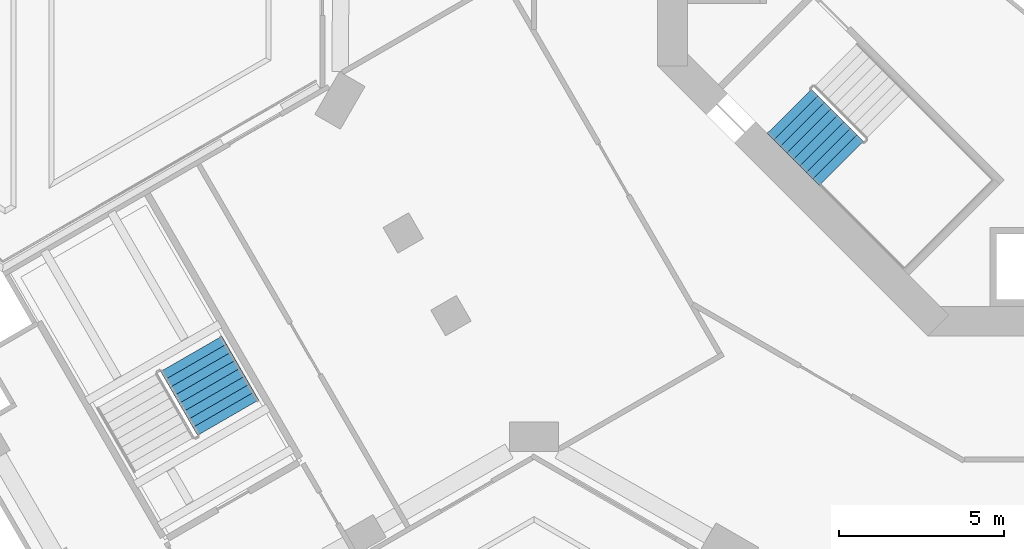
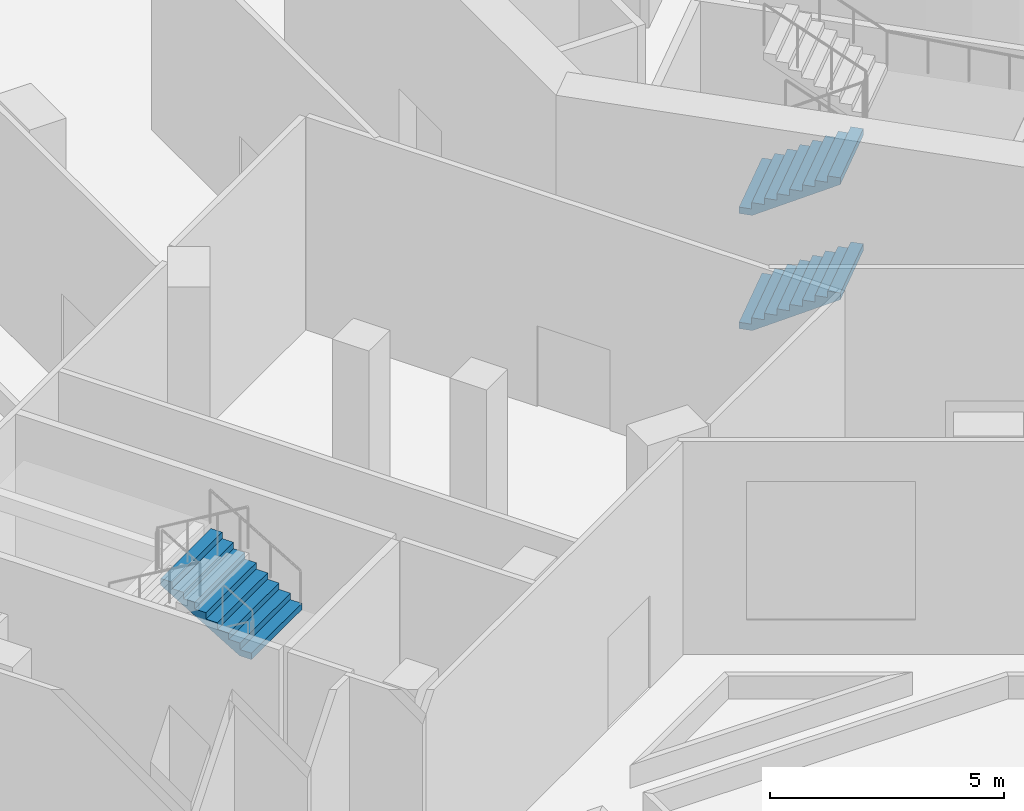
# One storey, part 14 of 29: 3 stair flights, 2 elements without a shape of their own.
"""IFC4 building model written with IfcOpenShell, lengths in metres."""

from ifc_helpers import new_model, si_unit, direction, frame, origin, place, context, subcontext, project, spatial, triangles, material, type_object, element, aggregate, save


model = new_model("IFC4")

# Units and contexts
model_context = context("Model", 3, precision=1e-05, world=origin(), true_north=direction((0.0, 1.0)))
body_context = subcontext(model_context, "Body", "Model", "MODEL_VIEW")
ifc_project = project(units=[si_unit("LENGTHUNIT", "METRE"), si_unit("AREAUNIT", "SQUARE_METRE"), si_unit("VOLUMEUNIT", "CUBIC_METRE"), si_unit("PLANEANGLEUNIT", "RADIAN"), si_unit("MASSUNIT", "GRAM", prefix="KILO")], contexts=[model_context])

# Site, building, storey
site_placement = place(None, origin())
site = spatial("IfcSite", under=ifc_project, at=site_placement, CompositionType="ELEMENT")
building_placement = place(site_placement, origin())
building = spatial("IfcBuilding", under=site, at=building_placement, Name="Verdalira Terraces Hotel", CompositionType="ELEMENT")
storey_placement = place(building_placement, frame((0.0, 0.0, 8.0)))
storey = spatial("IfcBuildingStorey", under=building, at=storey_placement, Name="L01", CompositionType="ELEMENT", Elevation=8.0)

# Stair, stair flights
ifc_material_1 = material(Name="Concrete C40", Category="concrete")
stair_type_1 = type_object("IfcStairType", Name="Core stair 36 risers 1900 mm wide", PredefinedType="HALF_TURN_STAIR", material=ifc_material_1)
stair_1_placement = place(storey_placement, origin())
stair_1 = element("IfcStair", 1, at=stair_1_placement, inside=storey, type_object=stair_type_1, Name="L01 Exit stair ST2", PredefinedType="HALF_TURN_STAIR")
ifc_material_2 = material(Name="Concrete C40", Category="concrete")
stair_flight_type_1 = type_object("IfcStairFlightType", Name="Core stair flight 36 risers 1900 mm wide", PredefinedType="STRAIGHT", material=ifc_material_2)
stair_flight_1_placement = place(storey_placement, frame((-10.005615, -7.177246, 0.0), z_axis=(0.0, 0.0, 1.0), x_axis=(0.707106781, -0.707106781, 0.0)))
stair_flight_1 = element("IfcStairFlight", 2, at=stair_flight_1_placement, type_object=stair_flight_type_1, Name="ST2 flight 1", NumberOfRisers=9, NumberOfTreads=8, PredefinedType="STRAIGHT", RiserHeight=0.166666667, TreadLength=0.28, context=body_context, shape_type="Tessellation", body=[
    triangles([(0.0, 0.949951, 0.0), (0.292969, 0.949951, 0.0), (2.23999, 0.949951, 1.158936), (0.0, -0.949951, 0.0), (0.292969, -0.949951, 0.0), (2.23999, -0.949951, 1.158936), (2.23999, 0.949951, 1.333252), (1.959961, 0.949951, 1.333252), (2.23999, -0.949951, 1.333252), (1.959961, -0.949951, 1.333252), (1.959961, 0.949951, 1.166748), (1.959961, -0.949951, 1.166748), (1.679932, 0.949951, 1.166748), (1.679932, -0.949951, 1.166748), (1.679932, 0.949951, 1.0), (1.679932, -0.949951, 1.0), (1.399902, 0.949951, 1.0), (1.399902, 0.949951, 0.833252), (1.399902, -0.949951, 1.0), (1.399902, -0.949951, 0.833252), (1.120117, 0.949951, 0.833252), (1.120117, 0.949951, 0.666748), (1.120117, -0.949951, 0.833252), (1.120117, -0.949951, 0.666748), (0.840088, 0.949951, 0.666748), (0.840088, 0.949951, 0.5), (0.840088, -0.949951, 0.666748), (0.840088, -0.949951, 0.5), (0.560059, 0.949951, 0.5), (0.560059, 0.949951, 0.333252), (0.560059, -0.949951, 0.5), (0.560059, -0.949951, 0.333252), (0.280029, 0.949951, 0.333252), (0.280029, 0.949951, 0.166748), (0.280029, -0.949951, 0.333252), (0.280029, -0.949951, 0.166748), (0.0, 0.949951, 0.166748), (0.0, -0.949951, 0.166748), (0.0, -0.890579, 0.0), (0.0, -0.890579, 0.166748), (0.0, -0.831207, 0.0), (0.0, -0.831207, 0.166748), (0.0, -0.771835, 0.0), (0.0, -0.771835, 0.166748), (0.0, -0.712463, 0.0), (0.0, -0.712463, 0.166748), (0.0, -0.653091, 0.0), (0.0, -0.653091, 0.166748), (0.0, -0.593719, 0.0), (0.0, -0.593719, 0.166748), (0.0, -0.534348, 0.0), (0.0, -0.534348, 0.166748), (0.0, -0.474976, 0.0), (0.0, -0.474976, 0.166748), (0.0, -0.415604, 0.0), (0.0, -0.415604, 0.166748), (0.0, -0.356232, 0.0), (0.0, -0.356232, 0.166748), (0.0, -0.29686, 0.0), (0.0, -0.29686, 0.166748), (0.0, -0.237488, 0.0), (0.0, -0.237488, 0.166748), (0.0, -0.178116, 0.0), (0.0, -0.178116, 0.166748), (0.0, -0.118744, 0.0), (0.0, -0.118744, 0.166748), (0.0, -0.059372, 0.0), (0.0, -0.059372, 0.166748), (0.0, 0.0, 0.0), (0.0, 0.0, 0.166748), (0.0, 0.059372, 0.0), (0.0, 0.059372, 0.166748), (0.0, 0.118744, 0.0), (0.0, 0.118744, 0.166748), (0.0, 0.178116, 0.0), (0.0, 0.178116, 0.166748), (0.0, 0.237488, 0.0), (0.0, 0.237488, 0.166748), (0.0, 0.29686, 0.0), (0.0, 0.29686, 0.166748), (0.0, 0.356232, 0.0), (0.0, 0.356232, 0.166748), (0.0, 0.415604, 0.0), (0.0, 0.415604, 0.166748), (0.0, 0.474976, 0.0), (0.0, 0.474976, 0.166748), (0.0, 0.534348, 0.0), (0.0, 0.534348, 0.166748), (0.0, 0.593719, 0.0), (0.0, 0.593719, 0.166748), (0.0, 0.653091, 0.0), (0.0, 0.653091, 0.166748), (0.0, 0.712463, 0.0), (0.0, 0.712463, 0.166748), (0.0, 0.771835, 0.0), (0.0, 0.771835, 0.166748), (0.0, 0.831207, 0.0), (0.0, 0.831207, 0.166748), (0.0, 0.890579, 0.0), (0.0, 0.890579, 0.166748), (2.23999, -0.890579, 1.333252), (2.23999, -0.831207, 1.333252), (2.23999, -0.771835, 1.333252), (2.23999, -0.712463, 1.333252), (2.23999, -0.653091, 1.333252), (2.23999, -0.593719, 1.333252), (2.23999, -0.534348, 1.333252), (2.23999, -0.474976, 1.333252), (2.23999, -0.415604, 1.333252), (2.23999, -0.356232, 1.333252), (2.23999, -0.29686, 1.333252), (2.23999, -0.237488, 1.333252), (2.23999, -0.178116, 1.333252), (2.23999, -0.118744, 1.333252), (2.23999, -0.059372, 1.333252), (2.23999, 0.0, 1.333252), (2.23999, 0.059372, 1.333252), (2.23999, 0.118744, 1.333252), (2.23999, 0.178116, 1.333252), (2.23999, 0.237488, 1.333252), (2.23999, 0.29686, 1.333252), (2.23999, 0.356232, 1.333252), (2.23999, 0.415604, 1.333252), (2.23999, 0.474976, 1.333252), (2.23999, 0.534348, 1.333252), (2.23999, 0.593719, 1.333252), (2.23999, 0.653091, 1.333252), (2.23999, 0.712463, 1.333252), (2.23999, 0.771835, 1.333252), (2.23999, 0.831207, 1.333252), (2.23999, 0.890579, 1.333252), (2.23999, -0.890579, 1.158936), (2.23999, -0.831207, 1.158936), (2.23999, -0.771835, 1.158936), (2.23999, -0.712463, 1.158936), (2.23999, -0.653091, 1.158936), (2.23999, -0.593719, 1.158936), (2.23999, -0.534348, 1.158936), (2.23999, -0.474976, 1.158936), (2.23999, -0.415604, 1.158936), (2.23999, -0.356232, 1.158936), (2.23999, -0.29686, 1.158936), (2.23999, -0.237488, 1.158936), (2.23999, -0.178116, 1.158936), (2.23999, -0.118744, 1.158936), (2.23999, -0.059372, 1.158936), (2.23999, 0.0, 1.158936), (2.23999, 0.059372, 1.158936), (2.23999, 0.118744, 1.158936), (2.23999, 0.178116, 1.158936), (2.23999, 0.237488, 1.158936), (2.23999, 0.29686, 1.158936), (2.23999, 0.356232, 1.158936), (2.23999, 0.415604, 1.158936), (2.23999, 0.474976, 1.158936), (2.23999, 0.534348, 1.158936), (2.23999, 0.593719, 1.158936), (2.23999, 0.653091, 1.158936), (2.23999, 0.712463, 1.158936), (2.23999, 0.771835, 1.158936), (2.23999, 0.831207, 1.158936), (2.23999, 0.890579, 1.158936)], [[1, 3, 2], [4, 5, 6], [3, 8, 7], [6, 9, 10], [3, 11, 8], [6, 10, 12], [3, 13, 11], [6, 12, 14], [3, 15, 13], [6, 14, 16], [15, 18, 17], [16, 19, 20], [3, 18, 15], [6, 16, 20], [18, 22, 21], [20, 23, 24], [3, 22, 18], [6, 20, 24], [22, 26, 25], [24, 27, 28], [3, 26, 22], [6, 24, 28], [26, 30, 29], [28, 31, 32], [3, 30, 26], [6, 28, 32], [1, 30, 3], [4, 6, 32], [30, 34, 33], [32, 35, 36], [1, 34, 30], [4, 32, 36], [34, 1, 37], [36, 38, 4], [4, 40, 39], [4, 38, 40], [39, 42, 41], [39, 40, 42], [41, 44, 43], [41, 42, 44], [43, 46, 45], [43, 44, 46], [45, 48, 47], [45, 46, 48], [47, 50, 49], [47, 48, 50], [49, 52, 51], [49, 50, 52], [51, 54, 53], [51, 52, 54], [53, 56, 55], [53, 54, 56], [55, 58, 57], [55, 56, 58], [57, 60, 59], [57, 58, 60], [59, 62, 61], [59, 60, 62], [61, 64, 63], [61, 62, 64], [63, 66, 65], [63, 64, 66], [65, 68, 67], [65, 66, 68], [67, 70, 69], [67, 68, 70], [69, 72, 71], [69, 70, 72], [71, 74, 73], [71, 72, 74], [73, 76, 75], [73, 74, 76], [75, 78, 77], [75, 76, 78], [77, 80, 79], [77, 78, 80], [79, 82, 81], [79, 80, 82], [81, 84, 83], [81, 82, 84], [83, 86, 85], [83, 84, 86], [85, 88, 87], [85, 86, 88], [87, 90, 89], [87, 88, 90], [89, 92, 91], [89, 90, 92], [91, 94, 93], [91, 92, 94], [93, 96, 95], [93, 94, 96], [95, 98, 97], [95, 96, 98], [97, 100, 99], [97, 98, 100], [99, 37, 1], [99, 100, 37], [38, 36, 40], [40, 36, 42], [42, 36, 44], [44, 36, 46], [46, 36, 48], [48, 36, 50], [50, 36, 52], [52, 36, 54], [54, 36, 56], [56, 36, 58], [58, 36, 60], [60, 36, 62], [62, 36, 64], [64, 36, 66], [66, 36, 68], [68, 36, 70], [70, 36, 72], [72, 36, 74], [74, 36, 76], [76, 36, 78], [78, 36, 80], [80, 36, 82], [82, 36, 84], [84, 36, 86], [86, 36, 88], [88, 36, 90], [90, 36, 92], [92, 36, 94], [94, 36, 96], [96, 36, 98], [98, 36, 100], [100, 36, 37], [37, 36, 34], [36, 33, 34], [36, 35, 33], [35, 30, 33], [35, 32, 30], [32, 29, 30], [32, 31, 29], [31, 26, 29], [31, 28, 26], [28, 25, 26], [28, 27, 25], [27, 22, 25], [27, 24, 22], [24, 21, 22], [24, 23, 21], [23, 18, 21], [23, 20, 18], [20, 17, 18], [20, 19, 17], [19, 15, 17], [19, 16, 15], [16, 13, 15], [16, 14, 13], [14, 11, 13], [14, 12, 11], [12, 8, 11], [12, 10, 8], [9, 101, 10], [101, 102, 10], [102, 103, 10], [103, 104, 10], [104, 105, 10], [105, 106, 10], [106, 107, 10], [107, 108, 10], [108, 109, 10], [109, 110, 10], [110, 111, 10], [111, 112, 10], [112, 113, 10], [113, 114, 10], [114, 115, 10], [115, 116, 10], [116, 117, 10], [117, 118, 10], [118, 119, 10], [119, 120, 10], [120, 121, 10], [121, 122, 10], [122, 123, 10], [123, 124, 10], [124, 125, 10], [125, 126, 10], [126, 127, 10], [127, 128, 10], [128, 129, 10], [129, 130, 10], [130, 131, 10], [131, 7, 10], [7, 8, 10], [9, 132, 101], [9, 6, 132], [101, 133, 102], [101, 132, 133], [102, 134, 103], [102, 133, 134], [103, 135, 104], [103, 134, 135], [104, 136, 105], [104, 135, 136], [105, 137, 106], [105, 136, 137], [106, 138, 107], [106, 137, 138], [107, 139, 108], [107, 138, 139], [108, 140, 109], [108, 139, 140], [109, 141, 110], [109, 140, 141], [110, 142, 111], [110, 141, 142], [111, 143, 112], [111, 142, 143], [112, 144, 113], [112, 143, 144], [113, 145, 114], [113, 144, 145], [114, 146, 115], [114, 145, 146], [115, 147, 116], [115, 146, 147], [116, 148, 117], [116, 147, 148], [117, 149, 118], [117, 148, 149], [118, 150, 119], [118, 149, 150], [119, 151, 120], [119, 150, 151], [120, 152, 121], [120, 151, 152], [121, 153, 122], [121, 152, 153], [122, 154, 123], [122, 153, 154], [123, 155, 124], [123, 154, 155], [124, 156, 125], [124, 155, 156], [125, 157, 126], [125, 156, 157], [126, 158, 127], [126, 157, 158], [127, 159, 128], [127, 158, 159], [128, 160, 129], [128, 159, 160], [129, 161, 130], [129, 160, 161], [130, 162, 131], [130, 161, 162], [131, 3, 7], [131, 162, 3], [6, 5, 132], [132, 5, 133], [133, 5, 134], [134, 5, 135], [135, 5, 136], [136, 5, 137], [137, 5, 138], [138, 5, 139], [139, 5, 140], [140, 5, 141], [141, 5, 142], [142, 5, 143], [143, 5, 144], [144, 5, 145], [145, 5, 146], [146, 5, 147], [147, 5, 148], [148, 5, 149], [149, 5, 150], [150, 5, 151], [151, 5, 152], [152, 5, 153], [153, 5, 154], [154, 5, 155], [155, 5, 156], [156, 5, 157], [157, 5, 158], [158, 5, 159], [159, 5, 160], [160, 5, 161], [161, 5, 162], [162, 5, 3], [3, 5, 2], [4, 39, 5], [39, 41, 5], [41, 43, 5], [43, 45, 5], [45, 47, 5], [47, 49, 5], [49, 51, 5], [51, 53, 5], [53, 55, 5], [55, 57, 5], [57, 59, 5], [59, 61, 5], [61, 63, 5], [63, 65, 5], [65, 67, 5], [67, 69, 5], [69, 71, 5], [71, 73, 5], [73, 75, 5], [75, 77, 5], [77, 79, 5], [79, 81, 5], [81, 83, 5], [83, 85, 5], [85, 87, 5], [87, 89, 5], [89, 91, 5], [91, 93, 5], [93, 95, 5], [95, 97, 5], [97, 99, 5], [99, 1, 5], [1, 2, 5]], closed=True),
])
stair_flight_2_placement = place(storey_placement, frame((-10.005615, -7.177246, 3.0), z_axis=(0.0, 0.0, 1.0), x_axis=(0.707106781, -0.707106781, 0.0)))
stair_flight_2 = element("IfcStairFlight", 3, at=stair_flight_2_placement, type_object=stair_flight_type_1, Name="ST2 flight 3", NumberOfRisers=9, NumberOfTreads=8, PredefinedType="STRAIGHT", RiserHeight=0.166666667, TreadLength=0.28, context=body_context, shape_type="Tessellation", body=[
    triangles([(0.0, 0.949951, 0.0), (0.292969, 0.949951, 0.0), (2.23999, 0.949951, 1.158936), (0.0, -0.949951, 0.0), (0.292969, -0.949951, 0.0), (2.23999, -0.949951, 1.158936), (2.23999, 0.949951, 1.333252), (1.959961, 0.949951, 1.333252), (2.23999, -0.949951, 1.333252), (1.959961, -0.949951, 1.333252), (1.959961, 0.949951, 1.166748), (1.959961, -0.949951, 1.166748), (1.679932, 0.949951, 1.166748), (1.679932, -0.949951, 1.166748), (1.679932, 0.949951, 1.0), (1.679932, -0.949951, 1.0), (1.399902, 0.949951, 1.0), (1.399902, 0.949951, 0.833252), (1.399902, -0.949951, 1.0), (1.399902, -0.949951, 0.833252), (1.120117, 0.949951, 0.833252), (1.120117, 0.949951, 0.666748), (1.120117, -0.949951, 0.833252), (1.120117, -0.949951, 0.666748), (0.840088, 0.949951, 0.666748), (0.840088, 0.949951, 0.5), (0.840088, -0.949951, 0.666748), (0.840088, -0.949951, 0.5), (0.560059, 0.949951, 0.5), (0.560059, 0.949951, 0.333252), (0.560059, -0.949951, 0.5), (0.560059, -0.949951, 0.333252), (0.280029, 0.949951, 0.333252), (0.280029, 0.949951, 0.166748), (0.280029, -0.949951, 0.333252), (0.280029, -0.949951, 0.166748), (0.0, 0.949951, 0.166748), (0.0, -0.949951, 0.166748), (0.0, -0.890579, 0.0), (0.0, -0.890579, 0.166748), (0.0, -0.831207, 0.0), (0.0, -0.831207, 0.166748), (0.0, -0.771835, 0.0), (0.0, -0.771835, 0.166748), (0.0, -0.712463, 0.0), (0.0, -0.712463, 0.166748), (0.0, -0.653091, 0.0), (0.0, -0.653091, 0.166748), (0.0, -0.593719, 0.0), (0.0, -0.593719, 0.166748), (0.0, -0.534348, 0.0), (0.0, -0.534348, 0.166748), (0.0, -0.474976, 0.0), (0.0, -0.474976, 0.166748), (0.0, -0.415604, 0.0), (0.0, -0.415604, 0.166748), (0.0, -0.356232, 0.0), (0.0, -0.356232, 0.166748), (0.0, -0.29686, 0.0), (0.0, -0.29686, 0.166748), (0.0, -0.237488, 0.0), (0.0, -0.237488, 0.166748), (0.0, -0.178116, 0.0), (0.0, -0.178116, 0.166748), (0.0, -0.118744, 0.0), (0.0, -0.118744, 0.166748), (0.0, -0.059372, 0.0), (0.0, -0.059372, 0.166748), (0.0, 0.0, 0.0), (0.0, 0.0, 0.166748), (0.0, 0.059372, 0.0), (0.0, 0.059372, 0.166748), (0.0, 0.118744, 0.0), (0.0, 0.118744, 0.166748), (0.0, 0.178116, 0.0), (0.0, 0.178116, 0.166748), (0.0, 0.237488, 0.0), (0.0, 0.237488, 0.166748), (0.0, 0.29686, 0.0), (0.0, 0.29686, 0.166748), (0.0, 0.356232, 0.0), (0.0, 0.356232, 0.166748), (0.0, 0.415604, 0.0), (0.0, 0.415604, 0.166748), (0.0, 0.474976, 0.0), (0.0, 0.474976, 0.166748), (0.0, 0.534348, 0.0), (0.0, 0.534348, 0.166748), (0.0, 0.593719, 0.0), (0.0, 0.593719, 0.166748), (0.0, 0.653091, 0.0), (0.0, 0.653091, 0.166748), (0.0, 0.712463, 0.0), (0.0, 0.712463, 0.166748), (0.0, 0.771835, 0.0), (0.0, 0.771835, 0.166748), (0.0, 0.831207, 0.0), (0.0, 0.831207, 0.166748), (0.0, 0.890579, 0.0), (0.0, 0.890579, 0.166748), (2.23999, -0.890579, 1.333252), (2.23999, -0.831207, 1.333252), (2.23999, -0.771835, 1.333252), (2.23999, -0.712463, 1.333252), (2.23999, -0.653091, 1.333252), (2.23999, -0.593719, 1.333252), (2.23999, -0.534348, 1.333252), (2.23999, -0.474976, 1.333252), (2.23999, -0.415604, 1.333252), (2.23999, -0.356232, 1.333252), (2.23999, -0.29686, 1.333252), (2.23999, -0.237488, 1.333252), (2.23999, -0.178116, 1.333252), (2.23999, -0.118744, 1.333252), (2.23999, -0.059372, 1.333252), (2.23999, 0.0, 1.333252), (2.23999, 0.059372, 1.333252), (2.23999, 0.118744, 1.333252), (2.23999, 0.178116, 1.333252), (2.23999, 0.237488, 1.333252), (2.23999, 0.29686, 1.333252), (2.23999, 0.356232, 1.333252), (2.23999, 0.415604, 1.333252), (2.23999, 0.474976, 1.333252), (2.23999, 0.534348, 1.333252), (2.23999, 0.593719, 1.333252), (2.23999, 0.653091, 1.333252), (2.23999, 0.712463, 1.333252), (2.23999, 0.771835, 1.333252), (2.23999, 0.831207, 1.333252), (2.23999, 0.890579, 1.333252), (2.23999, -0.890579, 1.158936), (2.23999, -0.831207, 1.158936), (2.23999, -0.771835, 1.158936), (2.23999, -0.712463, 1.158936), (2.23999, -0.653091, 1.158936), (2.23999, -0.593719, 1.158936), (2.23999, -0.534348, 1.158936), (2.23999, -0.474976, 1.158936), (2.23999, -0.415604, 1.158936), (2.23999, -0.356232, 1.158936), (2.23999, -0.29686, 1.158936), (2.23999, -0.237488, 1.158936), (2.23999, -0.178116, 1.158936), (2.23999, -0.118744, 1.158936), (2.23999, -0.059372, 1.158936), (2.23999, 0.0, 1.158936), (2.23999, 0.059372, 1.158936), (2.23999, 0.118744, 1.158936), (2.23999, 0.178116, 1.158936), (2.23999, 0.237488, 1.158936), (2.23999, 0.29686, 1.158936), (2.23999, 0.356232, 1.158936), (2.23999, 0.415604, 1.158936), (2.23999, 0.474976, 1.158936), (2.23999, 0.534348, 1.158936), (2.23999, 0.593719, 1.158936), (2.23999, 0.653091, 1.158936), (2.23999, 0.712463, 1.158936), (2.23999, 0.771835, 1.158936), (2.23999, 0.831207, 1.158936), (2.23999, 0.890579, 1.158936)], [[1, 3, 2], [4, 5, 6], [3, 8, 7], [6, 9, 10], [3, 11, 8], [6, 10, 12], [3, 13, 11], [6, 12, 14], [3, 15, 13], [6, 14, 16], [15, 18, 17], [16, 19, 20], [3, 18, 15], [6, 16, 20], [18, 22, 21], [20, 23, 24], [3, 22, 18], [6, 20, 24], [22, 26, 25], [24, 27, 28], [3, 26, 22], [6, 24, 28], [26, 30, 29], [28, 31, 32], [3, 30, 26], [6, 28, 32], [1, 30, 3], [4, 6, 32], [30, 34, 33], [32, 35, 36], [1, 34, 30], [4, 32, 36], [34, 1, 37], [36, 38, 4], [4, 40, 39], [4, 38, 40], [39, 42, 41], [39, 40, 42], [41, 44, 43], [41, 42, 44], [43, 46, 45], [43, 44, 46], [45, 48, 47], [45, 46, 48], [47, 50, 49], [47, 48, 50], [49, 52, 51], [49, 50, 52], [51, 54, 53], [51, 52, 54], [53, 56, 55], [53, 54, 56], [55, 58, 57], [55, 56, 58], [57, 60, 59], [57, 58, 60], [59, 62, 61], [59, 60, 62], [61, 64, 63], [61, 62, 64], [63, 66, 65], [63, 64, 66], [65, 68, 67], [65, 66, 68], [67, 70, 69], [67, 68, 70], [69, 72, 71], [69, 70, 72], [71, 74, 73], [71, 72, 74], [73, 76, 75], [73, 74, 76], [75, 78, 77], [75, 76, 78], [77, 80, 79], [77, 78, 80], [79, 82, 81], [79, 80, 82], [81, 84, 83], [81, 82, 84], [83, 86, 85], [83, 84, 86], [85, 88, 87], [85, 86, 88], [87, 90, 89], [87, 88, 90], [89, 92, 91], [89, 90, 92], [91, 94, 93], [91, 92, 94], [93, 96, 95], [93, 94, 96], [95, 98, 97], [95, 96, 98], [97, 100, 99], [97, 98, 100], [99, 37, 1], [99, 100, 37], [38, 36, 40], [40, 36, 42], [42, 36, 44], [44, 36, 46], [46, 36, 48], [48, 36, 50], [50, 36, 52], [52, 36, 54], [54, 36, 56], [56, 36, 58], [58, 36, 60], [60, 36, 62], [62, 36, 64], [64, 36, 66], [66, 36, 68], [68, 36, 70], [70, 36, 72], [72, 36, 74], [74, 36, 76], [76, 36, 78], [78, 36, 80], [80, 36, 82], [82, 36, 84], [84, 36, 86], [86, 36, 88], [88, 36, 90], [90, 36, 92], [92, 36, 94], [94, 36, 96], [96, 36, 98], [98, 36, 100], [100, 36, 37], [37, 36, 34], [36, 33, 34], [36, 35, 33], [35, 30, 33], [35, 32, 30], [32, 29, 30], [32, 31, 29], [31, 26, 29], [31, 28, 26], [28, 25, 26], [28, 27, 25], [27, 22, 25], [27, 24, 22], [24, 21, 22], [24, 23, 21], [23, 18, 21], [23, 20, 18], [20, 17, 18], [20, 19, 17], [19, 15, 17], [19, 16, 15], [16, 13, 15], [16, 14, 13], [14, 11, 13], [14, 12, 11], [12, 8, 11], [12, 10, 8], [9, 101, 10], [101, 102, 10], [102, 103, 10], [103, 104, 10], [104, 105, 10], [105, 106, 10], [106, 107, 10], [107, 108, 10], [108, 109, 10], [109, 110, 10], [110, 111, 10], [111, 112, 10], [112, 113, 10], [113, 114, 10], [114, 115, 10], [115, 116, 10], [116, 117, 10], [117, 118, 10], [118, 119, 10], [119, 120, 10], [120, 121, 10], [121, 122, 10], [122, 123, 10], [123, 124, 10], [124, 125, 10], [125, 126, 10], [126, 127, 10], [127, 128, 10], [128, 129, 10], [129, 130, 10], [130, 131, 10], [131, 7, 10], [7, 8, 10], [9, 132, 101], [9, 6, 132], [101, 133, 102], [101, 132, 133], [102, 134, 103], [102, 133, 134], [103, 135, 104], [103, 134, 135], [104, 136, 105], [104, 135, 136], [105, 137, 106], [105, 136, 137], [106, 138, 107], [106, 137, 138], [107, 139, 108], [107, 138, 139], [108, 140, 109], [108, 139, 140], [109, 141, 110], [109, 140, 141], [110, 142, 111], [110, 141, 142], [111, 143, 112], [111, 142, 143], [112, 144, 113], [112, 143, 144], [113, 145, 114], [113, 144, 145], [114, 146, 115], [114, 145, 146], [115, 147, 116], [115, 146, 147], [116, 148, 117], [116, 147, 148], [117, 149, 118], [117, 148, 149], [118, 150, 119], [118, 149, 150], [119, 151, 120], [119, 150, 151], [120, 152, 121], [120, 151, 152], [121, 153, 122], [121, 152, 153], [122, 154, 123], [122, 153, 154], [123, 155, 124], [123, 154, 155], [124, 156, 125], [124, 155, 156], [125, 157, 126], [125, 156, 157], [126, 158, 127], [126, 157, 158], [127, 159, 128], [127, 158, 159], [128, 160, 129], [128, 159, 160], [129, 161, 130], [129, 160, 161], [130, 162, 131], [130, 161, 162], [131, 3, 7], [131, 162, 3], [6, 5, 132], [132, 5, 133], [133, 5, 134], [134, 5, 135], [135, 5, 136], [136, 5, 137], [137, 5, 138], [138, 5, 139], [139, 5, 140], [140, 5, 141], [141, 5, 142], [142, 5, 143], [143, 5, 144], [144, 5, 145], [145, 5, 146], [146, 5, 147], [147, 5, 148], [148, 5, 149], [149, 5, 150], [150, 5, 151], [151, 5, 152], [152, 5, 153], [153, 5, 154], [154, 5, 155], [155, 5, 156], [156, 5, 157], [157, 5, 158], [158, 5, 159], [159, 5, 160], [160, 5, 161], [161, 5, 162], [162, 5, 3], [3, 5, 2], [4, 39, 5], [39, 41, 5], [41, 43, 5], [43, 45, 5], [45, 47, 5], [47, 49, 5], [49, 51, 5], [51, 53, 5], [53, 55, 5], [55, 57, 5], [57, 59, 5], [59, 61, 5], [61, 63, 5], [63, 65, 5], [65, 67, 5], [67, 69, 5], [69, 71, 5], [71, 73, 5], [73, 75, 5], [75, 77, 5], [77, 79, 5], [79, 81, 5], [81, 83, 5], [83, 85, 5], [85, 87, 5], [87, 89, 5], [89, 91, 5], [91, 93, 5], [93, 95, 5], [95, 97, 5], [97, 99, 5], [99, 1, 5], [1, 2, 5]], closed=True),
])
aggregate(stair_1, [stair_flight_1, stair_flight_2])

# Stair, stair flight
ifc_material_3 = material(Name="Concrete C40", Category="concrete")
stair_type_2 = type_object("IfcStairType", Name="Podium stair 36 risers", PredefinedType="HALF_TURN_STAIR", material=ifc_material_3)
stair_2_placement = place(storey_placement, origin())
stair_2 = element("IfcStair", 4, at=stair_2_placement, inside=storey, type_object=stair_type_2, Name="L01 Exit stair PS2", PredefinedType="HALF_TURN_STAIR")
ifc_material_4 = material(Name="Concrete C40", Category="concrete")
stair_flight_type_2 = type_object("IfcStairFlightType", Name="Podium stair flight 36 risers", PredefinedType="STRAIGHT", material=ifc_material_4)
stair_flight_3_placement = place(storey_placement, frame((-27.056396, -16.487061, 3.0), z_axis=(0.0, 0.0, 1.0), x_axis=(-0.5, 0.866025404, 0.0)))
stair_flight_3 = element("IfcStairFlight", 5, at=stair_flight_3_placement, type_object=stair_flight_type_2, Name="PS2 flight 3", NumberOfRisers=9, NumberOfTreads=8, PredefinedType="STRAIGHT", RiserHeight=0.166666667, TreadLength=0.28, context=body_context, shape_type="Tessellation", body=[
    triangles([(0.0, 1.074951, 0.0), (0.292969, 1.074951, 0.0), (2.23999, 1.074951, 1.158936), (0.0, -1.074951, 0.0), (0.292969, -1.074951, 0.0), (2.23999, -1.074951, 1.158936), (2.23999, 1.074951, 1.333252), (1.959961, 1.074951, 1.333252), (2.23999, -1.074951, 1.333252), (1.959961, -1.074951, 1.333252), (1.959961, 1.074951, 1.166748), (1.959961, -1.074951, 1.166748), (1.679932, 1.074951, 1.166748), (1.679932, -1.074951, 1.166748), (1.679932, 1.074951, 1.0), (1.679932, -1.074951, 1.0), (1.399902, 1.074951, 1.0), (1.399902, 1.074951, 0.833252), (1.399902, -1.074951, 1.0), (1.399902, -1.074951, 0.833252), (1.120117, 1.074951, 0.833252), (1.120117, 1.074951, 0.666748), (1.120117, -1.074951, 0.833252), (1.120117, -1.074951, 0.666748), (0.840088, 1.074951, 0.666748), (0.840088, 1.074951, 0.5), (0.840088, -1.074951, 0.666748), (0.840088, -1.074951, 0.5), (0.560059, 1.074951, 0.5), (0.560059, 1.074951, 0.333252), (0.560059, -1.074951, 0.5), (0.560059, -1.074951, 0.333252), (0.280029, 1.074951, 0.333252), (0.280029, 1.074951, 0.166748), (0.280029, -1.074951, 0.333252), (0.280029, -1.074951, 0.166748), (0.0, 1.074951, 0.166748), (0.0, -1.074951, 0.166748), (0.0, -1.007767, 0.0), (0.0, -1.007767, 0.166748), (0.0, -0.940582, 0.0), (0.0, -0.940582, 0.166748), (0.0, -0.873398, 0.0), (0.0, -0.873398, 0.166748), (0.0, -0.806213, 0.0), (0.0, -0.806213, 0.166748), (0.0, -0.739029, 0.0), (0.0, -0.739029, 0.166748), (0.0, -0.671844, 0.0), (0.0, -0.671844, 0.166748), (0.0, -0.60466, 0.0), (0.0, -0.60466, 0.166748), (0.0, -0.537476, 0.0), (0.0, -0.537476, 0.166748), (0.0, -0.470291, 0.0), (0.0, -0.470291, 0.166748), (0.0, -0.403107, 0.0), (0.0, -0.403107, 0.166748), (0.0, -0.335922, 0.0), (0.0, -0.335922, 0.166748), (0.0, -0.268738, 0.0), (0.0, -0.268738, 0.166748), (0.0, -0.201553, 0.0), (0.0, -0.201553, 0.166748), (0.0, -0.134369, 0.0), (0.0, -0.134369, 0.166748), (0.0, -0.067184, 0.0), (0.0, -0.067184, 0.166748), (0.0, 0.0, 0.0), (0.0, 0.0, 0.166748), (0.0, 0.067184, 0.0), (0.0, 0.067184, 0.166748), (0.0, 0.134369, 0.0), (0.0, 0.134369, 0.166748), (0.0, 0.201553, 0.0), (0.0, 0.201553, 0.166748), (0.0, 0.268738, 0.0), (0.0, 0.268738, 0.166748), (0.0, 0.335922, 0.0), (0.0, 0.335922, 0.166748), (0.0, 0.403107, 0.0), (0.0, 0.403107, 0.166748), (0.0, 0.470291, 0.0), (0.0, 0.470291, 0.166748), (0.0, 0.537476, 0.0), (0.0, 0.537476, 0.166748), (0.0, 0.60466, 0.0), (0.0, 0.60466, 0.166748), (0.0, 0.671844, 0.0), (0.0, 0.671844, 0.166748), (0.0, 0.739029, 0.0), (0.0, 0.739029, 0.166748), (0.0, 0.806213, 0.0), (0.0, 0.806213, 0.166748), (0.0, 0.873398, 0.0), (0.0, 0.873398, 0.166748), (0.0, 0.940582, 0.0), (0.0, 0.940582, 0.166748), (0.0, 1.007767, 0.0), (0.0, 1.007767, 0.166748), (2.23999, -1.007767, 1.333252), (2.23999, -0.940582, 1.333252), (2.23999, -0.873398, 1.333252), (2.23999, -0.806213, 1.333252), (2.23999, -0.739029, 1.333252), (2.23999, -0.671844, 1.333252), (2.23999, -0.60466, 1.333252), (2.23999, -0.537476, 1.333252), (2.23999, -0.470291, 1.333252), (2.23999, -0.403107, 1.333252), (2.23999, -0.335922, 1.333252), (2.23999, -0.268738, 1.333252), (2.23999, -0.201553, 1.333252), (2.23999, -0.134369, 1.333252), (2.23999, -0.067184, 1.333252), (2.23999, 0.0, 1.333252), (2.23999, 0.067184, 1.333252), (2.23999, 0.134369, 1.333252), (2.23999, 0.201553, 1.333252), (2.23999, 0.268738, 1.333252), (2.23999, 0.335922, 1.333252), (2.23999, 0.403107, 1.333252), (2.23999, 0.470291, 1.333252), (2.23999, 0.537476, 1.333252), (2.23999, 0.60466, 1.333252), (2.23999, 0.671844, 1.333252), (2.23999, 0.739029, 1.333252), (2.23999, 0.806213, 1.333252), (2.23999, 0.873398, 1.333252), (2.23999, 0.940582, 1.333252), (2.23999, 1.007767, 1.333252), (2.23999, -1.007767, 1.158936), (2.23999, -0.940582, 1.158936), (2.23999, -0.873398, 1.158936), (2.23999, -0.806213, 1.158936), (2.23999, -0.739029, 1.158936), (2.23999, -0.671844, 1.158936), (2.23999, -0.60466, 1.158936), (2.23999, -0.537476, 1.158936), (2.23999, -0.470291, 1.158936), (2.23999, -0.403107, 1.158936), (2.23999, -0.335922, 1.158936), (2.23999, -0.268738, 1.158936), (2.23999, -0.201553, 1.158936), (2.23999, -0.134369, 1.158936), (2.23999, -0.067184, 1.158936), (2.23999, 0.0, 1.158936), (2.23999, 0.067184, 1.158936), (2.23999, 0.134369, 1.158936), (2.23999, 0.201553, 1.158936), (2.23999, 0.268738, 1.158936), (2.23999, 0.335922, 1.158936), (2.23999, 0.403107, 1.158936), (2.23999, 0.470291, 1.158936), (2.23999, 0.537476, 1.158936), (2.23999, 0.60466, 1.158936), (2.23999, 0.671844, 1.158936), (2.23999, 0.739029, 1.158936), (2.23999, 0.806213, 1.158936), (2.23999, 0.873398, 1.158936), (2.23999, 0.940582, 1.158936), (2.23999, 1.007767, 1.158936)], [[1, 3, 2], [4, 5, 6], [3, 8, 7], [6, 9, 10], [3, 11, 8], [6, 10, 12], [3, 13, 11], [6, 12, 14], [3, 15, 13], [6, 14, 16], [15, 18, 17], [16, 19, 20], [3, 18, 15], [6, 16, 20], [18, 22, 21], [20, 23, 24], [3, 22, 18], [6, 20, 24], [22, 26, 25], [24, 27, 28], [3, 26, 22], [6, 24, 28], [26, 30, 29], [28, 31, 32], [3, 30, 26], [6, 28, 32], [1, 30, 3], [4, 6, 32], [30, 34, 33], [32, 35, 36], [1, 34, 30], [4, 32, 36], [34, 1, 37], [36, 38, 4], [4, 40, 39], [4, 38, 40], [39, 42, 41], [39, 40, 42], [41, 44, 43], [41, 42, 44], [43, 46, 45], [43, 44, 46], [45, 48, 47], [45, 46, 48], [47, 50, 49], [47, 48, 50], [49, 52, 51], [49, 50, 52], [51, 54, 53], [51, 52, 54], [53, 56, 55], [53, 54, 56], [55, 58, 57], [55, 56, 58], [57, 60, 59], [57, 58, 60], [59, 62, 61], [59, 60, 62], [61, 64, 63], [61, 62, 64], [63, 66, 65], [63, 64, 66], [65, 68, 67], [65, 66, 68], [67, 70, 69], [67, 68, 70], [69, 72, 71], [69, 70, 72], [71, 74, 73], [71, 72, 74], [73, 76, 75], [73, 74, 76], [75, 78, 77], [75, 76, 78], [77, 80, 79], [77, 78, 80], [79, 82, 81], [79, 80, 82], [81, 84, 83], [81, 82, 84], [83, 86, 85], [83, 84, 86], [85, 88, 87], [85, 86, 88], [87, 90, 89], [87, 88, 90], [89, 92, 91], [89, 90, 92], [91, 94, 93], [91, 92, 94], [93, 96, 95], [93, 94, 96], [95, 98, 97], [95, 96, 98], [97, 100, 99], [97, 98, 100], [99, 37, 1], [99, 100, 37], [38, 36, 40], [40, 36, 42], [42, 36, 44], [44, 36, 46], [46, 36, 48], [48, 36, 50], [50, 36, 52], [52, 36, 54], [54, 36, 56], [56, 36, 58], [58, 36, 60], [60, 36, 62], [62, 36, 64], [64, 36, 66], [66, 36, 68], [68, 36, 70], [70, 36, 72], [72, 36, 74], [74, 36, 76], [76, 36, 78], [78, 36, 80], [80, 36, 82], [82, 36, 84], [84, 36, 86], [86, 36, 88], [88, 36, 90], [90, 36, 92], [92, 36, 94], [94, 36, 96], [96, 36, 98], [98, 36, 100], [100, 36, 37], [37, 36, 34], [36, 33, 34], [36, 35, 33], [35, 30, 33], [35, 32, 30], [32, 29, 30], [32, 31, 29], [31, 26, 29], [31, 28, 26], [28, 25, 26], [28, 27, 25], [27, 22, 25], [27, 24, 22], [24, 21, 22], [24, 23, 21], [23, 18, 21], [23, 20, 18], [20, 17, 18], [20, 19, 17], [19, 15, 17], [19, 16, 15], [16, 13, 15], [16, 14, 13], [14, 11, 13], [14, 12, 11], [12, 8, 11], [12, 10, 8], [9, 101, 10], [101, 102, 10], [102, 103, 10], [103, 104, 10], [104, 105, 10], [105, 106, 10], [106, 107, 10], [107, 108, 10], [108, 109, 10], [109, 110, 10], [110, 111, 10], [111, 112, 10], [112, 113, 10], [113, 114, 10], [114, 115, 10], [115, 116, 10], [116, 117, 10], [117, 118, 10], [118, 119, 10], [119, 120, 10], [120, 121, 10], [121, 122, 10], [122, 123, 10], [123, 124, 10], [124, 125, 10], [125, 126, 10], [126, 127, 10], [127, 128, 10], [128, 129, 10], [129, 130, 10], [130, 131, 10], [131, 7, 10], [7, 8, 10], [9, 132, 101], [9, 6, 132], [101, 133, 102], [101, 132, 133], [102, 134, 103], [102, 133, 134], [103, 135, 104], [103, 134, 135], [104, 136, 105], [104, 135, 136], [105, 137, 106], [105, 136, 137], [106, 138, 107], [106, 137, 138], [107, 139, 108], [107, 138, 139], [108, 140, 109], [108, 139, 140], [109, 141, 110], [109, 140, 141], [110, 142, 111], [110, 141, 142], [111, 143, 112], [111, 142, 143], [112, 144, 113], [112, 143, 144], [113, 145, 114], [113, 144, 145], [114, 146, 115], [114, 145, 146], [115, 147, 116], [115, 146, 147], [116, 148, 117], [116, 147, 148], [117, 149, 118], [117, 148, 149], [118, 150, 119], [118, 149, 150], [119, 151, 120], [119, 150, 151], [120, 152, 121], [120, 151, 152], [121, 153, 122], [121, 152, 153], [122, 154, 123], [122, 153, 154], [123, 155, 124], [123, 154, 155], [124, 156, 125], [124, 155, 156], [125, 157, 126], [125, 156, 157], [126, 158, 127], [126, 157, 158], [127, 159, 128], [127, 158, 159], [128, 160, 129], [128, 159, 160], [129, 161, 130], [129, 160, 161], [130, 162, 131], [130, 161, 162], [131, 3, 7], [131, 162, 3], [6, 5, 132], [132, 5, 133], [133, 5, 134], [134, 5, 135], [135, 5, 136], [136, 5, 137], [137, 5, 138], [138, 5, 139], [139, 5, 140], [140, 5, 141], [141, 5, 142], [142, 5, 143], [143, 5, 144], [144, 5, 145], [145, 5, 146], [146, 5, 147], [147, 5, 148], [148, 5, 149], [149, 5, 150], [150, 5, 151], [151, 5, 152], [152, 5, 153], [153, 5, 154], [154, 5, 155], [155, 5, 156], [156, 5, 157], [157, 5, 158], [158, 5, 159], [159, 5, 160], [160, 5, 161], [161, 5, 162], [162, 5, 3], [3, 5, 2], [4, 39, 5], [39, 41, 5], [41, 43, 5], [43, 45, 5], [45, 47, 5], [47, 49, 5], [49, 51, 5], [51, 53, 5], [53, 55, 5], [55, 57, 5], [57, 59, 5], [59, 61, 5], [61, 63, 5], [63, 65, 5], [65, 67, 5], [67, 69, 5], [69, 71, 5], [71, 73, 5], [73, 75, 5], [75, 77, 5], [77, 79, 5], [79, 81, 5], [81, 83, 5], [83, 85, 5], [85, 87, 5], [87, 89, 5], [89, 91, 5], [91, 93, 5], [93, 95, 5], [95, 97, 5], [97, 99, 5], [99, 1, 5], [1, 2, 5]], closed=True),
])
aggregate(stair_2, [stair_flight_3])

save(model, "model.ifc")
